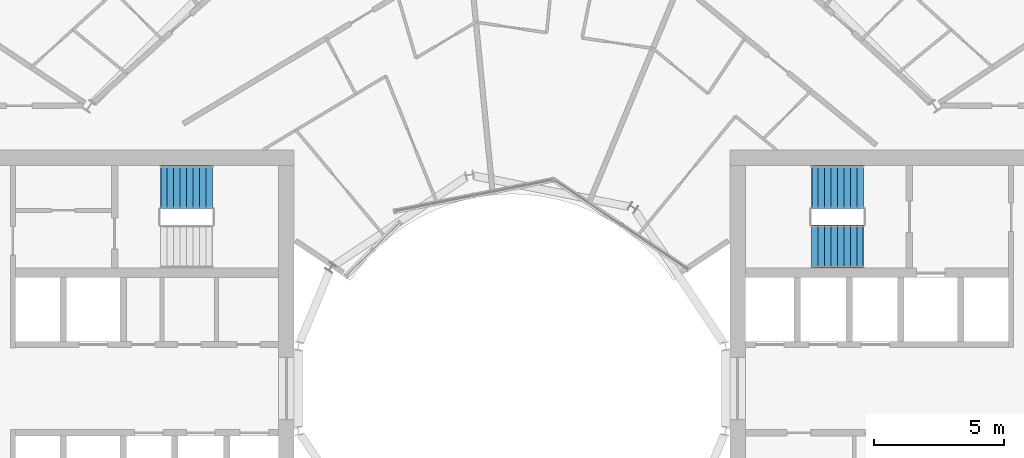
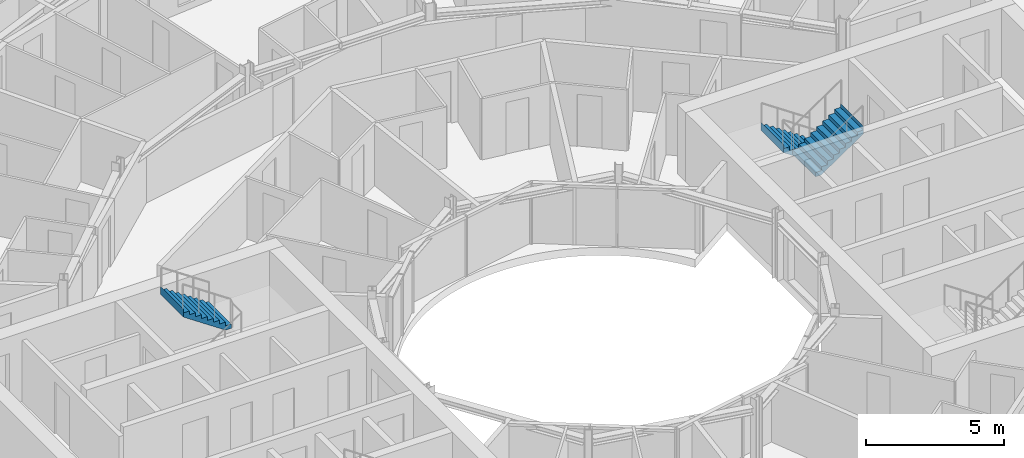
# One storey, part 26 of 28: 3 stair flights, 2 elements without a shape of their own.
"""IFC4 building model written with IfcOpenShell, lengths in metres."""

from ifc_helpers import new_model, si_unit, direction, frame, origin, place, context, subcontext, project, spatial, triangles, material, type_object, element, aggregate, save


model = new_model("IFC4")

# Units and contexts
model_context = context("Model", 3, precision=1e-05, world=origin(), true_north=direction((0.0, 1.0)))
body_context = subcontext(model_context, "Body", "Model", "MODEL_VIEW")
ifc_project = project(units=[si_unit("LENGTHUNIT", "METRE"), si_unit("AREAUNIT", "SQUARE_METRE"), si_unit("VOLUMEUNIT", "CUBIC_METRE"), si_unit("PLANEANGLEUNIT", "RADIAN"), si_unit("MASSUNIT", "GRAM", prefix="KILO")], contexts=[model_context])

# Site, building, storey
site_placement = place(None, origin())
site = spatial("IfcSite", under=ifc_project, at=site_placement, CompositionType="ELEMENT")
building_placement = place(site_placement, origin())
building = spatial("IfcBuilding", under=site, at=building_placement, Name="Maasbend Ring Residences", CompositionType="ELEMENT")
storey_placement = place(building_placement, frame((0.0, 0.0, 133.0)))
storey = spatial("IfcBuildingStorey", under=building, at=storey_placement, Name="L38", CompositionType="ELEMENT", Elevation=133.0)

# Stair, stair flights
ifc_material_1 = material(Name="Concrete C40/50", Category="concrete")
stair_type = type_object("IfcStairType", Name="CORE STAIR 18 RISERS", PredefinedType="HALF_TURN_STAIR", material=ifc_material_1)
stair_1_placement = place(storey_placement, origin())
stair_1 = element("IfcStair", 1, at=stair_1_placement, inside=storey, type_object=stair_type, Name="L38 Exit stair ST-E1", PredefinedType="HALF_TURN_STAIR")
ifc_material_2 = material(Name="Concrete C40/50", Category="concrete")
stair_flight_type = type_object("IfcStairFlightType", Name="CORE STAIR FLIGHT 1650", PredefinedType="STRAIGHT", material=ifc_material_2)
stair_flight_1_placement = place(storey_placement, frame((13.550048828125, 7.77490234375, 0.0), z_axis=(0.0, 0.0, 1.0), x_axis=(-1.0, 0.0, 0.0)))
stair_flight_1 = element("IfcStairFlight", 2, at=stair_flight_1_placement, type_object=stair_flight_type, Name="ST-E1 flight 1", NumberOfRisers=9, NumberOfTreads=8, PredefinedType="STRAIGHT", RiserHeight=0.169444444, TreadLength=0.25, context=body_context, shape_type="Tessellation", body=[
    triangles([(0.24072265625, 0.824951171875, -0.02001953125), (2.0029296875, 0.824951171875, 1.174560546875), (2.0029296875, 0.824951171875, 1.52490234375), (1.989990234375, 0.824951171875, 1.35546875), (1.75, 0.824951171875, 1.35546875), (1.75, 0.824951171875, 1.18603515625), (1.5, 0.824951171875, 1.18603515625), (1.5, 0.824951171875, 1.0166015625), (1.25, 0.824951171875, 1.0166015625), (1.25, 0.824951171875, 0.84716796875), (1.0, 0.824951171875, 0.84716796875), (1.0, 0.824951171875, 0.677734375), (0.75, 0.824951171875, 0.677734375), (0.75, 0.824951171875, 0.50830078125), (0.5, 0.824951171875, 0.50830078125), (0.5, 0.824951171875, 0.3388671875), (0.25, 0.824951171875, 0.3388671875), (0.25, 0.824951171875, 0.16943359375), (0.0, 0.824951171875, 0.16943359375), (0.0, 0.824951171875, 0.0), (-0.0029296875, 0.824951171875, 0.0), (-0.0029296875, 0.824951171875, -0.02001953125), (0.24072265625, 0.27490234375, -0.02001953125), (2.0029296875, 0.27490234375, 1.174560546875), (2.0029296875, 0.27490234375, 1.52490234375), (1.989990234375, 0.27490234375, 1.35546875), (1.75, 0.27490234375, 1.35546875), (1.75, 0.27490234375, 1.18603515625), (1.5, 0.27490234375, 1.18603515625), (1.5, 0.27490234375, 1.0166015625), (1.25, 0.27490234375, 1.0166015625), (1.25, 0.27490234375, 0.84716796875), (1.0, 0.27490234375, 0.84716796875), (1.0, 0.27490234375, 0.677734375), (0.75, 0.27490234375, 0.677734375), (0.75, 0.27490234375, 0.50830078125), (0.5, 0.27490234375, 0.50830078125), (0.5, 0.27490234375, 0.3388671875), (0.25, 0.27490234375, 0.3388671875), (0.25, 0.27490234375, 0.16943359375), (0.0, 0.27490234375, 0.16943359375), (0.0, 0.27490234375, 0.0), (-0.0029296875, 0.27490234375, 0.0), (-0.0029296875, 0.27490234375, -0.02001953125), (0.24072265625, -0.27490234375, -0.02001953125), (2.0029296875, -0.27490234375, 1.174560546875), (2.0029296875, -0.27490234375, 1.52490234375), (1.989990234375, -0.27490234375, 1.35546875), (1.75, -0.27490234375, 1.35546875), (1.75, -0.27490234375, 1.18603515625), (1.5, -0.27490234375, 1.18603515625), (1.5, -0.27490234375, 1.0166015625), (1.25, -0.27490234375, 1.0166015625), (1.25, -0.27490234375, 0.84716796875), (1.0, -0.27490234375, 0.84716796875), (1.0, -0.27490234375, 0.677734375), (0.75, -0.27490234375, 0.677734375), (0.75, -0.27490234375, 0.50830078125), (0.5, -0.27490234375, 0.50830078125), (0.5, -0.27490234375, 0.3388671875), (0.25, -0.27490234375, 0.3388671875), (0.25, -0.27490234375, 0.16943359375), (0.0, -0.27490234375, 0.16943359375), (0.0, -0.27490234375, 0.0), (-0.0029296875, -0.27490234375, 0.0), (-0.0029296875, -0.27490234375, -0.02001953125), (0.24072265625, -0.824951171875, -0.02001953125), (2.0029296875, -0.824951171875, 1.174560546875), (2.0029296875, -0.824951171875, 1.52490234375), (1.989990234375, -0.824951171875, 1.35546875), (1.75, -0.824951171875, 1.35546875), (1.75, -0.824951171875, 1.18603515625), (1.5, -0.824951171875, 1.18603515625), (1.5, -0.824951171875, 1.0166015625), (1.25, -0.824951171875, 1.0166015625), (1.25, -0.824951171875, 0.84716796875), (1.0, -0.824951171875, 0.84716796875), (1.0, -0.824951171875, 0.677734375), (0.75, -0.824951171875, 0.677734375), (0.75, -0.824951171875, 0.50830078125), (0.5, -0.824951171875, 0.50830078125), (0.5, -0.824951171875, 0.3388671875), (0.25, -0.824951171875, 0.3388671875), (0.25, -0.824951171875, 0.16943359375), (0.0, -0.824951171875, 0.16943359375), (0.0, -0.824951171875, 0.0), (-0.0029296875, -0.824951171875, 0.0), (-0.0029296875, -0.824951171875, -0.02001953125)], [[1, 2, 24], [1, 24, 23], [23, 24, 46], [23, 46, 45], [45, 46, 68], [45, 68, 67], [2, 3, 25], [2, 25, 24], [24, 25, 47], [24, 47, 46], [46, 47, 69], [46, 69, 68], [3, 4, 26], [3, 26, 25], [25, 26, 48], [25, 48, 47], [47, 48, 70], [47, 70, 69], [4, 5, 27], [4, 27, 26], [26, 27, 49], [26, 49, 48], [48, 49, 71], [48, 71, 70], [5, 6, 28], [5, 28, 27], [27, 28, 50], [27, 50, 49], [49, 50, 72], [49, 72, 71], [6, 7, 29], [6, 29, 28], [28, 29, 51], [28, 51, 50], [50, 51, 73], [50, 73, 72], [7, 8, 30], [7, 30, 29], [29, 30, 52], [29, 52, 51], [51, 52, 74], [51, 74, 73], [8, 9, 31], [8, 31, 30], [30, 31, 53], [30, 53, 52], [52, 53, 75], [52, 75, 74], [9, 10, 32], [9, 32, 31], [31, 32, 54], [31, 54, 53], [53, 54, 76], [53, 76, 75], [10, 11, 33], [10, 33, 32], [32, 33, 55], [32, 55, 54], [54, 55, 77], [54, 77, 76], [11, 12, 34], [11, 34, 33], [33, 34, 56], [33, 56, 55], [55, 56, 78], [55, 78, 77], [12, 13, 35], [12, 35, 34], [34, 35, 57], [34, 57, 56], [56, 57, 79], [56, 79, 78], [13, 14, 36], [13, 36, 35], [35, 36, 58], [35, 58, 57], [57, 58, 80], [57, 80, 79], [14, 15, 37], [14, 37, 36], [36, 37, 59], [36, 59, 58], [58, 59, 81], [58, 81, 80], [15, 16, 38], [15, 38, 37], [37, 38, 60], [37, 60, 59], [59, 60, 82], [59, 82, 81], [16, 17, 39], [16, 39, 38], [38, 39, 61], [38, 61, 60], [60, 61, 83], [60, 83, 82], [17, 18, 40], [17, 40, 39], [39, 40, 62], [39, 62, 61], [61, 62, 84], [61, 84, 83], [18, 19, 41], [18, 41, 40], [40, 41, 63], [40, 63, 62], [62, 63, 85], [62, 85, 84], [19, 20, 42], [19, 42, 41], [41, 42, 64], [41, 64, 63], [63, 64, 86], [63, 86, 85], [20, 21, 43], [20, 43, 42], [42, 43, 65], [42, 65, 64], [64, 65, 87], [64, 87, 86], [21, 22, 44], [21, 44, 43], [43, 44, 66], [43, 66, 65], [65, 66, 88], [65, 88, 87], [22, 1, 23], [22, 23, 44], [44, 23, 45], [44, 45, 66], [66, 45, 67], [66, 67, 88], [22, 2, 1], [2, 4, 3], [2, 5, 4], [2, 6, 5], [22, 6, 2], [6, 8, 7], [22, 8, 6], [8, 10, 9], [22, 10, 8], [10, 12, 11], [22, 12, 10], [12, 14, 13], [22, 14, 12], [14, 16, 15], [22, 16, 14], [16, 18, 17], [22, 18, 16], [18, 20, 19], [22, 20, 18], [20, 22, 21], [88, 67, 68], [68, 69, 70], [68, 70, 71], [68, 71, 72], [88, 68, 72], [72, 73, 74], [88, 72, 74], [74, 75, 76], [88, 74, 76], [76, 77, 78], [88, 76, 78], [78, 79, 80], [88, 78, 80], [80, 81, 82], [88, 80, 82], [82, 83, 84], [88, 82, 84], [84, 85, 86], [88, 84, 86], [86, 87, 88]], closed=True),
])
stair_flight_2_placement = place(storey_placement, frame((11.550048828125, 5.47509765625, 1.52490234375), z_axis=(0.0, 0.0, 1.0), x_axis=(1.0, 0.0, 0.0)))
stair_flight_2 = element("IfcStairFlight", 3, at=stair_flight_2_placement, type_object=stair_flight_type, Name="ST-E1 flight 2", NumberOfRisers=9, NumberOfTreads=8, PredefinedType="STRAIGHT", RiserHeight=0.169444444, TreadLength=0.25, context=body_context, shape_type="Tessellation", body=[
    triangles([(0.24072265625, 0.824951171875, -0.02001953125), (2.0029296875, 0.824951171875, 1.174560546875), (2.0029296875, 0.824951171875, 1.52490234375), (1.989990234375, 0.824951171875, 1.35546875), (1.75, 0.824951171875, 1.35546875), (1.75, 0.824951171875, 1.18603515625), (1.5, 0.824951171875, 1.18603515625), (1.5, 0.824951171875, 1.0166015625), (1.25, 0.824951171875, 1.0166015625), (1.25, 0.824951171875, 0.84716796875), (1.0, 0.824951171875, 0.84716796875), (1.0, 0.824951171875, 0.677734375), (0.75, 0.824951171875, 0.677734375), (0.75, 0.824951171875, 0.50830078125), (0.5, 0.824951171875, 0.50830078125), (0.5, 0.824951171875, 0.3388671875), (0.25, 0.824951171875, 0.3388671875), (0.25, 0.824951171875, 0.16943359375), (0.0, 0.824951171875, 0.16943359375), (0.0, 0.824951171875, 0.0), (-0.0029296875, 0.824951171875, 0.0), (-0.0029296875, 0.824951171875, -0.02001953125), (0.24072265625, 0.27490234375, -0.02001953125), (2.0029296875, 0.27490234375, 1.174560546875), (2.0029296875, 0.27490234375, 1.52490234375), (1.989990234375, 0.27490234375, 1.35546875), (1.75, 0.27490234375, 1.35546875), (1.75, 0.27490234375, 1.18603515625), (1.5, 0.27490234375, 1.18603515625), (1.5, 0.27490234375, 1.0166015625), (1.25, 0.27490234375, 1.0166015625), (1.25, 0.27490234375, 0.84716796875), (1.0, 0.27490234375, 0.84716796875), (1.0, 0.27490234375, 0.677734375), (0.75, 0.27490234375, 0.677734375), (0.75, 0.27490234375, 0.50830078125), (0.5, 0.27490234375, 0.50830078125), (0.5, 0.27490234375, 0.3388671875), (0.25, 0.27490234375, 0.3388671875), (0.25, 0.27490234375, 0.16943359375), (0.0, 0.27490234375, 0.16943359375), (0.0, 0.27490234375, 0.0), (-0.0029296875, 0.27490234375, 0.0), (-0.0029296875, 0.27490234375, -0.02001953125), (0.24072265625, -0.27490234375, -0.02001953125), (2.0029296875, -0.27490234375, 1.174560546875), (2.0029296875, -0.27490234375, 1.52490234375), (1.989990234375, -0.27490234375, 1.35546875), (1.75, -0.27490234375, 1.35546875), (1.75, -0.27490234375, 1.18603515625), (1.5, -0.27490234375, 1.18603515625), (1.5, -0.27490234375, 1.0166015625), (1.25, -0.27490234375, 1.0166015625), (1.25, -0.27490234375, 0.84716796875), (1.0, -0.27490234375, 0.84716796875), (1.0, -0.27490234375, 0.677734375), (0.75, -0.27490234375, 0.677734375), (0.75, -0.27490234375, 0.50830078125), (0.5, -0.27490234375, 0.50830078125), (0.5, -0.27490234375, 0.3388671875), (0.25, -0.27490234375, 0.3388671875), (0.25, -0.27490234375, 0.16943359375), (0.0, -0.27490234375, 0.16943359375), (0.0, -0.27490234375, 0.0), (-0.0029296875, -0.27490234375, 0.0), (-0.0029296875, -0.27490234375, -0.02001953125), (0.24072265625, -0.824951171875, -0.02001953125), (2.0029296875, -0.824951171875, 1.174560546875), (2.0029296875, -0.824951171875, 1.52490234375), (1.989990234375, -0.824951171875, 1.35546875), (1.75, -0.824951171875, 1.35546875), (1.75, -0.824951171875, 1.18603515625), (1.5, -0.824951171875, 1.18603515625), (1.5, -0.824951171875, 1.0166015625), (1.25, -0.824951171875, 1.0166015625), (1.25, -0.824951171875, 0.84716796875), (1.0, -0.824951171875, 0.84716796875), (1.0, -0.824951171875, 0.677734375), (0.75, -0.824951171875, 0.677734375), (0.75, -0.824951171875, 0.50830078125), (0.5, -0.824951171875, 0.50830078125), (0.5, -0.824951171875, 0.3388671875), (0.25, -0.824951171875, 0.3388671875), (0.25, -0.824951171875, 0.16943359375), (0.0, -0.824951171875, 0.16943359375), (0.0, -0.824951171875, 0.0), (-0.0029296875, -0.824951171875, 0.0), (-0.0029296875, -0.824951171875, -0.02001953125)], [[1, 2, 24], [1, 24, 23], [23, 24, 46], [23, 46, 45], [45, 46, 68], [45, 68, 67], [2, 3, 25], [2, 25, 24], [24, 25, 47], [24, 47, 46], [46, 47, 69], [46, 69, 68], [3, 4, 26], [3, 26, 25], [25, 26, 48], [25, 48, 47], [47, 48, 70], [47, 70, 69], [4, 5, 27], [4, 27, 26], [26, 27, 49], [26, 49, 48], [48, 49, 71], [48, 71, 70], [5, 6, 28], [5, 28, 27], [27, 28, 50], [27, 50, 49], [49, 50, 72], [49, 72, 71], [6, 7, 29], [6, 29, 28], [28, 29, 51], [28, 51, 50], [50, 51, 73], [50, 73, 72], [7, 8, 30], [7, 30, 29], [29, 30, 52], [29, 52, 51], [51, 52, 74], [51, 74, 73], [8, 9, 31], [8, 31, 30], [30, 31, 53], [30, 53, 52], [52, 53, 75], [52, 75, 74], [9, 10, 32], [9, 32, 31], [31, 32, 54], [31, 54, 53], [53, 54, 76], [53, 76, 75], [10, 11, 33], [10, 33, 32], [32, 33, 55], [32, 55, 54], [54, 55, 77], [54, 77, 76], [11, 12, 34], [11, 34, 33], [33, 34, 56], [33, 56, 55], [55, 56, 78], [55, 78, 77], [12, 13, 35], [12, 35, 34], [34, 35, 57], [34, 57, 56], [56, 57, 79], [56, 79, 78], [13, 14, 36], [13, 36, 35], [35, 36, 58], [35, 58, 57], [57, 58, 80], [57, 80, 79], [14, 15, 37], [14, 37, 36], [36, 37, 59], [36, 59, 58], [58, 59, 81], [58, 81, 80], [15, 16, 38], [15, 38, 37], [37, 38, 60], [37, 60, 59], [59, 60, 82], [59, 82, 81], [16, 17, 39], [16, 39, 38], [38, 39, 61], [38, 61, 60], [60, 61, 83], [60, 83, 82], [17, 18, 40], [17, 40, 39], [39, 40, 62], [39, 62, 61], [61, 62, 84], [61, 84, 83], [18, 19, 41], [18, 41, 40], [40, 41, 63], [40, 63, 62], [62, 63, 85], [62, 85, 84], [19, 20, 42], [19, 42, 41], [41, 42, 64], [41, 64, 63], [63, 64, 86], [63, 86, 85], [20, 21, 43], [20, 43, 42], [42, 43, 65], [42, 65, 64], [64, 65, 87], [64, 87, 86], [21, 22, 44], [21, 44, 43], [43, 44, 66], [43, 66, 65], [65, 66, 88], [65, 88, 87], [22, 1, 23], [22, 23, 44], [44, 23, 45], [44, 45, 66], [66, 45, 67], [66, 67, 88], [22, 2, 1], [2, 4, 3], [2, 5, 4], [2, 6, 5], [22, 6, 2], [6, 8, 7], [22, 8, 6], [8, 10, 9], [22, 10, 8], [10, 12, 11], [22, 12, 10], [12, 14, 13], [22, 14, 12], [14, 16, 15], [22, 16, 14], [16, 18, 17], [22, 18, 16], [18, 20, 19], [22, 20, 18], [20, 22, 21], [88, 67, 68], [68, 69, 70], [68, 70, 71], [68, 71, 72], [88, 68, 72], [72, 73, 74], [88, 72, 74], [74, 75, 76], [88, 74, 76], [76, 77, 78], [88, 76, 78], [78, 79, 80], [88, 78, 80], [80, 81, 82], [88, 80, 82], [82, 83, 84], [88, 82, 84], [84, 85, 86], [88, 84, 86], [86, 87, 88]], closed=True),
])
aggregate(stair_1, [stair_flight_1, stair_flight_2])

# Stair, stair flight
stair_2_placement = place(storey_placement, origin())
stair_2 = element("IfcStair", 4, at=stair_2_placement, inside=storey, type_object=stair_type, Name="L38 Exit stair ST-W2", PredefinedType="HALF_TURN_STAIR")
stair_flight_3_placement = place(storey_placement, frame((-11.550048828125, 7.77490234375, 1.52490234375), z_axis=(0.0, 0.0, 1.0), x_axis=(-1.0, 0.0, 0.0)))
stair_flight_3 = element("IfcStairFlight", 5, at=stair_flight_3_placement, type_object=stair_flight_type, Name="ST-W2 flight 2", NumberOfRisers=9, NumberOfTreads=8, PredefinedType="STRAIGHT", RiserHeight=0.169444444, TreadLength=0.25, context=body_context, shape_type="Tessellation", body=[
    triangles([(0.24072265625, 0.824951171875, -0.02001953125), (2.0029296875, 0.824951171875, 1.174560546875), (2.0029296875, 0.824951171875, 1.52490234375), (1.989990234375, 0.824951171875, 1.35546875), (1.75, 0.824951171875, 1.35546875), (1.75, 0.824951171875, 1.18603515625), (1.5, 0.824951171875, 1.18603515625), (1.5, 0.824951171875, 1.0166015625), (1.25, 0.824951171875, 1.0166015625), (1.25, 0.824951171875, 0.84716796875), (1.0, 0.824951171875, 0.84716796875), (1.0, 0.824951171875, 0.677734375), (0.75, 0.824951171875, 0.677734375), (0.75, 0.824951171875, 0.50830078125), (0.5, 0.824951171875, 0.50830078125), (0.5, 0.824951171875, 0.3388671875), (0.25, 0.824951171875, 0.3388671875), (0.25, 0.824951171875, 0.16943359375), (0.0, 0.824951171875, 0.16943359375), (0.0, 0.824951171875, 0.0), (-0.0029296875, 0.824951171875, 0.0), (-0.0029296875, 0.824951171875, -0.02001953125), (0.24072265625, 0.27490234375, -0.02001953125), (2.0029296875, 0.27490234375, 1.174560546875), (2.0029296875, 0.27490234375, 1.52490234375), (1.989990234375, 0.27490234375, 1.35546875), (1.75, 0.27490234375, 1.35546875), (1.75, 0.27490234375, 1.18603515625), (1.5, 0.27490234375, 1.18603515625), (1.5, 0.27490234375, 1.0166015625), (1.25, 0.27490234375, 1.0166015625), (1.25, 0.27490234375, 0.84716796875), (1.0, 0.27490234375, 0.84716796875), (1.0, 0.27490234375, 0.677734375), (0.75, 0.27490234375, 0.677734375), (0.75, 0.27490234375, 0.50830078125), (0.5, 0.27490234375, 0.50830078125), (0.5, 0.27490234375, 0.3388671875), (0.25, 0.27490234375, 0.3388671875), (0.25, 0.27490234375, 0.16943359375), (0.0, 0.27490234375, 0.16943359375), (0.0, 0.27490234375, 0.0), (-0.0029296875, 0.27490234375, 0.0), (-0.0029296875, 0.27490234375, -0.02001953125), (0.24072265625, -0.27490234375, -0.02001953125), (2.0029296875, -0.27490234375, 1.174560546875), (2.0029296875, -0.27490234375, 1.52490234375), (1.989990234375, -0.27490234375, 1.35546875), (1.75, -0.27490234375, 1.35546875), (1.75, -0.27490234375, 1.18603515625), (1.5, -0.27490234375, 1.18603515625), (1.5, -0.27490234375, 1.0166015625), (1.25, -0.27490234375, 1.0166015625), (1.25, -0.27490234375, 0.84716796875), (1.0, -0.27490234375, 0.84716796875), (1.0, -0.27490234375, 0.677734375), (0.75, -0.27490234375, 0.677734375), (0.75, -0.27490234375, 0.50830078125), (0.5, -0.27490234375, 0.50830078125), (0.5, -0.27490234375, 0.3388671875), (0.25, -0.27490234375, 0.3388671875), (0.25, -0.27490234375, 0.16943359375), (0.0, -0.27490234375, 0.16943359375), (0.0, -0.27490234375, 0.0), (-0.0029296875, -0.27490234375, 0.0), (-0.0029296875, -0.27490234375, -0.02001953125), (0.24072265625, -0.824951171875, -0.02001953125), (2.0029296875, -0.824951171875, 1.174560546875), (2.0029296875, -0.824951171875, 1.52490234375), (1.989990234375, -0.824951171875, 1.35546875), (1.75, -0.824951171875, 1.35546875), (1.75, -0.824951171875, 1.18603515625), (1.5, -0.824951171875, 1.18603515625), (1.5, -0.824951171875, 1.0166015625), (1.25, -0.824951171875, 1.0166015625), (1.25, -0.824951171875, 0.84716796875), (1.0, -0.824951171875, 0.84716796875), (1.0, -0.824951171875, 0.677734375), (0.75, -0.824951171875, 0.677734375), (0.75, -0.824951171875, 0.50830078125), (0.5, -0.824951171875, 0.50830078125), (0.5, -0.824951171875, 0.3388671875), (0.25, -0.824951171875, 0.3388671875), (0.25, -0.824951171875, 0.16943359375), (0.0, -0.824951171875, 0.16943359375), (0.0, -0.824951171875, 0.0), (-0.0029296875, -0.824951171875, 0.0), (-0.0029296875, -0.824951171875, -0.02001953125)], [[1, 2, 24], [1, 24, 23], [23, 24, 46], [23, 46, 45], [45, 46, 68], [45, 68, 67], [2, 3, 25], [2, 25, 24], [24, 25, 47], [24, 47, 46], [46, 47, 69], [46, 69, 68], [3, 4, 26], [3, 26, 25], [25, 26, 48], [25, 48, 47], [47, 48, 70], [47, 70, 69], [4, 5, 27], [4, 27, 26], [26, 27, 49], [26, 49, 48], [48, 49, 71], [48, 71, 70], [5, 6, 28], [5, 28, 27], [27, 28, 50], [27, 50, 49], [49, 50, 72], [49, 72, 71], [6, 7, 29], [6, 29, 28], [28, 29, 51], [28, 51, 50], [50, 51, 73], [50, 73, 72], [7, 8, 30], [7, 30, 29], [29, 30, 52], [29, 52, 51], [51, 52, 74], [51, 74, 73], [8, 9, 31], [8, 31, 30], [30, 31, 53], [30, 53, 52], [52, 53, 75], [52, 75, 74], [9, 10, 32], [9, 32, 31], [31, 32, 54], [31, 54, 53], [53, 54, 76], [53, 76, 75], [10, 11, 33], [10, 33, 32], [32, 33, 55], [32, 55, 54], [54, 55, 77], [54, 77, 76], [11, 12, 34], [11, 34, 33], [33, 34, 56], [33, 56, 55], [55, 56, 78], [55, 78, 77], [12, 13, 35], [12, 35, 34], [34, 35, 57], [34, 57, 56], [56, 57, 79], [56, 79, 78], [13, 14, 36], [13, 36, 35], [35, 36, 58], [35, 58, 57], [57, 58, 80], [57, 80, 79], [14, 15, 37], [14, 37, 36], [36, 37, 59], [36, 59, 58], [58, 59, 81], [58, 81, 80], [15, 16, 38], [15, 38, 37], [37, 38, 60], [37, 60, 59], [59, 60, 82], [59, 82, 81], [16, 17, 39], [16, 39, 38], [38, 39, 61], [38, 61, 60], [60, 61, 83], [60, 83, 82], [17, 18, 40], [17, 40, 39], [39, 40, 62], [39, 62, 61], [61, 62, 84], [61, 84, 83], [18, 19, 41], [18, 41, 40], [40, 41, 63], [40, 63, 62], [62, 63, 85], [62, 85, 84], [19, 20, 42], [19, 42, 41], [41, 42, 64], [41, 64, 63], [63, 64, 86], [63, 86, 85], [20, 21, 43], [20, 43, 42], [42, 43, 65], [42, 65, 64], [64, 65, 87], [64, 87, 86], [21, 22, 44], [21, 44, 43], [43, 44, 66], [43, 66, 65], [65, 66, 88], [65, 88, 87], [22, 1, 23], [22, 23, 44], [44, 23, 45], [44, 45, 66], [66, 45, 67], [66, 67, 88], [22, 2, 1], [2, 4, 3], [2, 5, 4], [2, 6, 5], [22, 6, 2], [6, 8, 7], [22, 8, 6], [8, 10, 9], [22, 10, 8], [10, 12, 11], [22, 12, 10], [12, 14, 13], [22, 14, 12], [14, 16, 15], [22, 16, 14], [16, 18, 17], [22, 18, 16], [18, 20, 19], [22, 20, 18], [20, 22, 21], [88, 67, 68], [68, 69, 70], [68, 70, 71], [68, 71, 72], [88, 68, 72], [72, 73, 74], [88, 72, 74], [74, 75, 76], [88, 74, 76], [76, 77, 78], [88, 76, 78], [78, 79, 80], [88, 78, 80], [80, 81, 82], [88, 80, 82], [82, 83, 84], [88, 82, 84], [84, 85, 86], [88, 84, 86], [86, 87, 88]], closed=True),
])
aggregate(stair_2, [stair_flight_3])

save(model, "model.ifc")
